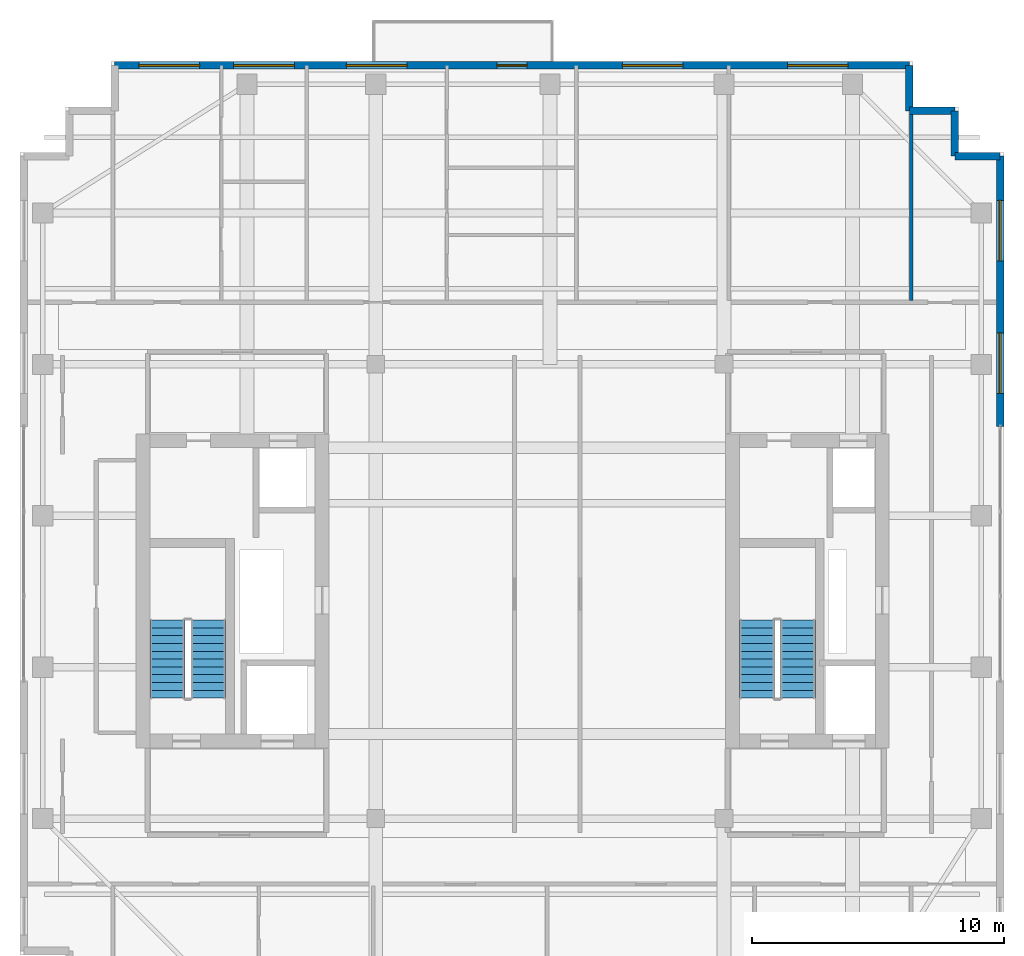
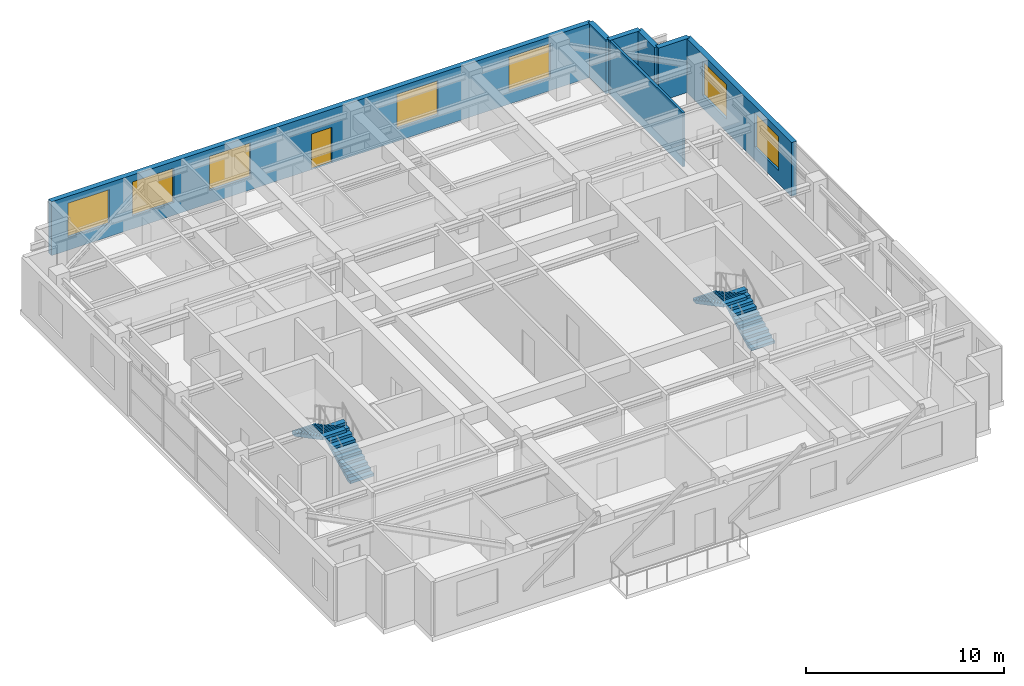
# One storey, part 11 of 14: 7 walls, 7 windows, 4 stair flights, 1 door, 8 openings, 2 elements without a shape of their own.
"""IFC4 building model written with IfcOpenShell, lengths in metres."""

from ifc_helpers import new_model, si_unit, direction, frame, frame_2d, origin, place, context, subcontext, project, spatial, polyline, rectangle, outline, extrude, source, transform, mapped, material, layer, layer_set, type_object, element, fill, aggregate, save


model = new_model("IFC4")

# Units and contexts
model_context = context("Model", 3, precision=1e-05, world=origin(), true_north=direction((0.0, 1.0)))
body_context = subcontext(model_context, "Body", "Model", "MODEL_VIEW")
ifc_project = project(units=[si_unit("LENGTHUNIT", "METRE"), si_unit("AREAUNIT", "SQUARE_METRE"), si_unit("VOLUMEUNIT", "CUBIC_METRE"), si_unit("PLANEANGLEUNIT", "RADIAN"), si_unit("MASSUNIT", "GRAM", prefix="KILO")], contexts=[model_context])

# Site, building, storey
site_placement = place(None, origin())
site = spatial("IfcSite", under=ifc_project, at=site_placement, CompositionType="ELEMENT")
building_placement = place(site_placement, origin())
building = spatial("IfcBuilding", under=site, at=building_placement, Name="Khoralis Quay Care Tower", CompositionType="ELEMENT")
storey_placement = place(building_placement, frame((0.0, 0.0, 274.5)))
storey = spatial("IfcBuildingStorey", under=building, at=storey_placement, Name="L72", CompositionType="ELEMENT", Elevation=274.5)

# Wall, openings, windows
ifc_material_1 = material(Name="Precast concrete C45/55", Category="concrete")
ifc_layer_1 = layer(ifc_material_1, 0.300048828125)
ifc_layer_set_1 = layer_set([ifc_layer_1], Name="Precast concrete C45/55")
wall_type_1 = type_object("IfcWallType", Name="WL-EXT-REF-300", PredefinedType="SOLIDWALL", material=ifc_layer_set_1)
wall_1_placement = place(storey_placement, frame((41.85009765625, 27.5400390625, 0.0), z_axis=(0.0, 0.0, 1.0), x_axis=(0.0, 1.0, 0.0)))
wall_1 = element("IfcWall", 1, at=wall_1_placement, inside=storey, type_object=wall_type_1, Name="L72 External Facade Wall WL-EXT-L72-P1-E5B", PredefinedType="SOLIDWALL", context=body_context, shape_type="SweptSolid", body=[
    extrude(rectangle(XDim=10.7099609375, YDim=0.300048828125, at=frame_2d((5.35498046875, 0.0))), origin(), (0.0, 0.0, 1.0), 3.320068359375),
])
opening_1_placement = place(wall_1_placement, frame((1.31005859375, 0.0, 0.800048828125)))
opening_1 = element("IfcOpeningElement", 2, at=opening_1_placement, cuts=wall_1, Name="Opening W1", PredefinedType="OPENING", context=body_context, shape_type="SweptSolid", body=[
    extrude(rectangle(XDim=2.39990234375, YDim=2.10009765625, at=frame_2d((1.199951171875, 1.050048828125))), frame((0.0, 0.16015625, 0.0), z_axis=(0.0, -1.0, 0.0), x_axis=(1.0, 0.0, 0.0)), (0.0, 0.0, 1.0), 0.320068359375),
])
opening_2_placement = place(wall_1_placement, frame((6.56494140625, 0.0, 0.800048828125)))
opening_2 = element("IfcOpeningElement", 3, at=opening_2_placement, cuts=wall_1, Name="Opening W1", PredefinedType="OPENING", context=body_context, shape_type="SweptSolid", body=[
    extrude(rectangle(XDim=2.39990234375, YDim=2.10009765625, at=frame_2d((1.199951171875, 1.050048828125))), frame((0.0, 0.16015625, 0.0), z_axis=(0.0, -1.0, 0.0), x_axis=(1.0, 0.0, 0.0)), (0.0, 0.0, 1.0), 0.320068359375),
])
ifc_material_2 = material(Name="Low-E solar-control double glazing", Category="glass")
window_type = type_object("IfcWindowType", Name="WN-POD-2400X2100", PartitioningType="SINGLE_PANEL", PredefinedType="WINDOW", material=ifc_material_2)
shared_shape_1 = source(origin(), body_context, "Body", "SweptSolid", [
    extrude(rectangle(XDim=2.39990234375, YDim=2.10009765625, at=frame_2d((1.199951171875, 1.050048828125))), frame((0.0, 0.030029296875, 0.0), z_axis=(0.0, -1.0, 0.0), x_axis=(1.0, 0.0, 0.0)), (0.0, 0.0, 1.0), 0.06005859375),
])
window_1_placement = place(opening_1_placement, origin())
window_1 = element("IfcWindow", 4, at=window_1_placement, inside=storey, type_object=window_type, Name="WN-L72-P1-E5B Facade Window 01", OverallHeight=2.10009765625, OverallWidth=2.39990234375, PartitioningType="SINGLE_PANEL", PredefinedType="WINDOW", context=body_context, shape_type="MappedRepresentation", body=[
    mapped(shared_shape_1, transform((0.0, 0.0, 0.0), scale=1.0)),
])
fill(opening_1, window_1)
window_2_placement = place(opening_2_placement, origin())
window_2 = element("IfcWindow", 5, at=window_2_placement, inside=storey, type_object=window_type, Name="WN-L72-P1-E5B Facade Window 02", OverallHeight=2.10009765625, OverallWidth=2.39990234375, PartitioningType="SINGLE_PANEL", PredefinedType="WINDOW", context=body_context, shape_type="MappedRepresentation", body=[
    mapped(shared_shape_1, transform((0.0, 0.0, 0.0), scale=1.0)),
])
fill(opening_2, window_2)

# Walls
for number, where, z_axis, x_axis, name in (
    (6, (41.85009765625, 38.25, 0.0), (0.0, 0.0, 1.0), (-1.0, 0.0, 0.0), "L72 External Facade Wall WL-EXT-L72-P1-C6"),
    (7, (40.050048828125, 38.25, 0.0), (0.0, 0.0, 1.0), (0.0, 1.0, 0.0), "L72 External Facade Wall WL-EXT-L72-P1-C7"),
    (8, (40.050048828125, 40.050048828125, 0.0), (0.0, 0.0, 1.0), (-1.0, 0.0, 0.0), "L72 External Facade Wall WL-EXT-L72-P1-C8"),
    (9, (38.25, 40.050048828125, 0.0), (0.0, 0.0, 1.0), (0.0, 1.0, 0.0), "L72 External Facade Wall WL-EXT-L72-P1-C9"),
):
    element("IfcWall", number, at=place(storey_placement, frame(where, z_axis=z_axis, x_axis=x_axis)), inside=storey, type_object=wall_type_1, Name=name, PredefinedType="SOLIDWALL", context=body_context, shape_type="SweptSolid", body=[
        extrude(rectangle(XDim=1.800048828125, YDim=0.300048828125, at=frame_2d((0.89990234375, 0.0))), origin(), (0.0, 0.0, 1.0), 3.320068359375),
    ])

# Wall, openings, windows, door
wall_2_placement = place(storey_placement, frame((38.25, 41.85009765625, 0.0), z_axis=(0.0, 0.0, 1.0), x_axis=(-1.0, 0.0, 0.0)))
wall_2 = element("IfcWall", 10, at=wall_2_placement, inside=storey, type_object=wall_type_1, Name="L72 External Facade Wall WL-EXT-L72-P1-E10", PredefinedType="SOLIDWALL", context=body_context, shape_type="SweptSolid", body=[
    extrude(rectangle(XDim=31.5, YDim=0.300048828125, at=frame_2d((15.75, 0.0))), origin(), (0.0, 0.0, 1.0), 3.320068359375),
])
opening_3_placement = place(wall_2_placement, frame((2.429931640625, 0.0, 0.800048828125)))
opening_3 = element("IfcOpeningElement", 11, at=opening_3_placement, cuts=wall_2, Name="Opening W1", PredefinedType="OPENING", context=body_context, shape_type="SweptSolid", body=[
    extrude(rectangle(XDim=2.39990234375, YDim=2.10009765625, at=frame_2d((1.199951171875, 1.050048828125))), frame((0.0, 0.16015625, 0.0), z_axis=(0.0, -1.0, 0.0), x_axis=(1.0, 0.0, 0.0)), (0.0, 0.0, 1.0), 0.320068359375),
])
opening_4_placement = place(wall_2_placement, frame((8.97998046875, 0.0, 0.800048828125)))
opening_4 = element("IfcOpeningElement", 12, at=opening_4_placement, cuts=wall_2, Name="Opening W1", PredefinedType="OPENING", context=body_context, shape_type="SweptSolid", body=[
    extrude(rectangle(XDim=2.39990234375, YDim=2.10009765625, at=frame_2d((1.199951171875, 1.050048828125))), frame((0.0, 0.16015625, 0.0), z_axis=(0.0, -1.0, 0.0), x_axis=(1.0, 0.0, 0.0)), (0.0, 0.0, 1.0), 0.320068359375),
])
opening_5_placement = place(wall_2_placement, frame((19.910400390625, 0.0, 0.800048828125)))
opening_5 = element("IfcOpeningElement", 13, at=opening_5_placement, cuts=wall_2, Name="Opening W1", PredefinedType="OPENING", context=body_context, shape_type="SweptSolid", body=[
    extrude(rectangle(XDim=2.39990234375, YDim=2.10009765625, at=frame_2d((1.199951171875, 1.050048828125))), frame((0.0, 0.16015625, 0.0), z_axis=(0.0, -1.0, 0.0), x_axis=(1.0, 0.0, 0.0)), (0.0, 0.0, 1.0), 0.320068359375),
])
opening_6_placement = place(wall_2_placement, frame((24.37939453125, 0.0, 0.800048828125)))
opening_6 = element("IfcOpeningElement", 14, at=opening_6_placement, cuts=wall_2, Name="Opening W1", PredefinedType="OPENING", context=body_context, shape_type="SweptSolid", body=[
    extrude(rectangle(XDim=2.39990234375, YDim=2.10009765625, at=frame_2d((1.199951171875, 1.050048828125))), frame((0.0, 0.16015625, 0.0), z_axis=(0.0, -1.0, 0.0), x_axis=(1.0, 0.0, 0.0)), (0.0, 0.0, 1.0), 0.320068359375),
])
opening_7_placement = place(wall_2_placement, frame((28.134521484375, 0.0, 0.800048828125)))
opening_7 = element("IfcOpeningElement", 15, at=opening_7_placement, cuts=wall_2, Name="Opening W1", PredefinedType="OPENING", context=body_context, shape_type="SweptSolid", body=[
    extrude(rectangle(XDim=2.39990234375, YDim=2.10009765625, at=frame_2d((1.199951171875, 1.050048828125))), frame((0.0, 0.16015625, 0.0), z_axis=(0.0, -1.0, 0.0), x_axis=(1.0, 0.0, 0.0)), (0.0, 0.0, 1.0), 0.320068359375),
])
opening_8_placement = place(wall_2_placement, frame((15.14990234375, 0.0, 0.0)))
opening_8 = element("IfcOpeningElement", 16, at=opening_8_placement, cuts=wall_2, Name="Opening BD1", PredefinedType="OPENING", context=body_context, shape_type="SweptSolid", body=[
    extrude(rectangle(XDim=1.199951171875, YDim=2.199951171875, at=frame_2d((0.60009765625, 1.10009765625))), frame((0.0, 0.16015625, 0.0), z_axis=(0.0, -1.0, 0.0), x_axis=(1.0, 0.0, 0.0)), (0.0, 0.0, 1.0), 0.320068359375),
])
window_3_placement = place(opening_3_placement, origin())
window_3 = element("IfcWindow", 17, at=window_3_placement, inside=storey, type_object=window_type, Name="WN-L72-P1-E10 Facade Window 01", OverallHeight=2.10009765625, OverallWidth=2.39990234375, PartitioningType="SINGLE_PANEL", PredefinedType="WINDOW", context=body_context, shape_type="MappedRepresentation", body=[
    mapped(shared_shape_1, transform((0.0, 0.0, 0.0), scale=1.0)),
])
fill(opening_3, window_3)
window_4_placement = place(opening_4_placement, origin())
window_4 = element("IfcWindow", 18, at=window_4_placement, inside=storey, type_object=window_type, Name="WN-L72-P1-E10 Facade Window 02", OverallHeight=2.10009765625, OverallWidth=2.39990234375, PartitioningType="SINGLE_PANEL", PredefinedType="WINDOW", context=body_context, shape_type="MappedRepresentation", body=[
    mapped(shared_shape_1, transform((0.0, 0.0, 0.0), scale=1.0)),
])
fill(opening_4, window_4)
window_5_placement = place(opening_5_placement, origin())
window_5 = element("IfcWindow", 19, at=window_5_placement, inside=storey, type_object=window_type, Name="WN-L72-P1-E10 Facade Window 03", OverallHeight=2.10009765625, OverallWidth=2.39990234375, PartitioningType="SINGLE_PANEL", PredefinedType="WINDOW", context=body_context, shape_type="MappedRepresentation", body=[
    mapped(shared_shape_1, transform((0.0, 0.0, 0.0), scale=1.0)),
])
fill(opening_5, window_5)
window_6_placement = place(opening_6_placement, origin())
window_6 = element("IfcWindow", 20, at=window_6_placement, inside=storey, type_object=window_type, Name="WN-L72-P1-E10 Facade Window 04", OverallHeight=2.10009765625, OverallWidth=2.39990234375, PartitioningType="SINGLE_PANEL", PredefinedType="WINDOW", context=body_context, shape_type="MappedRepresentation", body=[
    mapped(shared_shape_1, transform((0.0, 0.0, 0.0), scale=1.0)),
])
fill(opening_6, window_6)
window_7_placement = place(opening_7_placement, origin())
window_7 = element("IfcWindow", 21, at=window_7_placement, inside=storey, type_object=window_type, Name="WN-L72-P1-E10 Facade Window 05", OverallHeight=2.10009765625, OverallWidth=2.39990234375, PartitioningType="SINGLE_PANEL", PredefinedType="WINDOW", context=body_context, shape_type="MappedRepresentation", body=[
    mapped(shared_shape_1, transform((0.0, 0.0, 0.0), scale=1.0)),
])
fill(opening_7, window_7)
ifc_material_3 = material(Name="Anodised aluminium and laminated safety glass", Category="aluminium")
door_type = type_object("IfcDoorType", Name="DR-EXT-BALC-1200X2200", OperationType="NOTDEFINED", PredefinedType="DOOR", material=ifc_material_3)
shared_shape_2 = source(origin(), body_context, "Body", "SweptSolid", [
    extrude(rectangle(XDim=1.199951171875, YDim=2.199951171875, at=frame_2d((0.60009765625, 1.10009765625))), frame((0.0, 0.02490234375, 0.0), z_axis=(0.0, -1.0, 0.0), x_axis=(1.0, 0.0, 0.0)), (0.0, 0.0, 1.0), 0.050048828125),
])
door_placement = place(opening_8_placement, frame((1.199951171875, 0.0, 0.0), z_axis=(0.0, 0.0, 1.0), x_axis=(-1.0, 0.0, 0.0)))
door = element("IfcDoor", 22, at=door_placement, inside=storey, type_object=door_type, Name="L72 Senior Loggia Balcony Door", OperationType="SINGLE_SWING_LEFT", OverallHeight=2.199951171875, OverallWidth=1.199951171875, PredefinedType="DOOR", context=body_context, shape_type="MappedRepresentation", body=[
    mapped(shared_shape_2, transform((0.0, 0.0, 0.0), scale=1.0)),
])
fill(opening_8, door)

# Wall
ifc_material_4 = material(Name="Gypsum plasterboard on acoustic metal stud")
ifc_layer_2 = layer(ifc_material_4, 0.139892578125)
ifc_layer_set_2 = layer_set([ifc_layer_2], Name="Gypsum plasterboard on acoustic metal stud")
wall_type_2 = type_object("IfcWallType", Name="WL-UNIT-140", PredefinedType="PARTITIONING", material=ifc_layer_set_2)
wall_3_placement = place(storey_placement, frame((38.320068359375, 32.53759765625, 0.0), z_axis=(0.0, 0.0, 1.0), x_axis=(0.0, 1.0, 0.0)))
element("IfcWall", 23, at=wall_3_placement, inside=storey, type_object=wall_type_2, Name="L72 NB Demising Wall 4", PredefinedType="PARTITIONING", context=body_context, shape_type="SweptSolid", body=[
    extrude(rectangle(XDim=7.517333984375, YDim=0.139892578125, at=frame_2d((3.7587890625, 0.0))), origin(), (0.0, 0.0, 1.0), 3.320068359375),
])

# Stair, stair flights
stair_type = type_object("IfcStairType", Name="ST-TWR-DOGLEG-1400", PredefinedType="HALF_TURN_STAIR", material=ifc_material_1)
stair_1_placement = place(storey_placement, origin())
stair_1 = element("IfcStair", 24, at=stair_1_placement, inside=storey, type_object=stair_type, Name="L72 West Core Exit Stair ST-T1", PredefinedType="HALF_TURN_STAIR")
stair_flight_type = type_object("IfcStairFlightType", Name="SF-TWR-1400", PredefinedType="STRAIGHT", material=ifc_material_1)
shared_shape_3 = source(origin(), body_context, "Body", "SweptSolid", [
    extrude(outline(polyline([(0.0, 0.0), (0.0, 0.16357421875), (0.31005859375, 0.16357421875), (0.31005859375, 0.327392578125), (0.6201171875, 0.327392578125), (0.6201171875, 0.490966796875), (0.929931640625, 0.490966796875), (0.929931640625, 0.654541015625), (1.239990234375, 0.654541015625), (1.239990234375, 0.818115234375), (1.550048828125, 0.818115234375), (1.550048828125, 0.98193359375), (1.860107421875, 0.98193359375), (1.860107421875, 1.1455078125), (2.169921875, 1.1455078125), (2.169921875, 1.30908203125), (2.47998046875, 1.30908203125), (2.47998046875, 1.47265625), (2.7900390625, 1.47265625), (2.7900390625, 1.636474609375), (3.10009765625, 1.636474609375), (3.10009765625, 1.800048828125), (3.10009765625, 1.466796875), (0.321044921875, 0.0), (0.0, 0.0)])), frame((0.0, 0.68994140625, 0.0), z_axis=(0.0, -1.0, 0.0), x_axis=(1.0, 0.0, 0.0)), (0.0, 0.0, 1.0), 1.3798828125),
])
stair_flight_1_placement = place(storey_placement, frame((10.4599609375, 16.77001953125, 0.0), z_axis=(0.0, 0.0, 1.0), x_axis=(0.0, 1.0, 0.0)))
stair_flight_1 = element("IfcStairFlight", 25, at=stair_flight_1_placement, type_object=stair_flight_type, Name="ST-T1 flight 1", NumberOfRisers=11, NumberOfTreads=10, PredefinedType="STRAIGHT", RiserHeight=0.163636364, TreadLength=0.31, context=body_context, shape_type="MappedRepresentation", body=[
    mapped(shared_shape_3, transform((0.0, 0.0, 0.0), scale=1.0)),
])
stair_flight_2_placement = place(storey_placement, frame((8.840087890625, 19.8701171875, 1.800048828125), z_axis=(0.0, 0.0, 1.0), x_axis=(0.0, -1.0, 0.0)))
stair_flight_2 = element("IfcStairFlight", 26, at=stair_flight_2_placement, type_object=stair_flight_type, Name="ST-T1 flight 2", NumberOfRisers=11, NumberOfTreads=10, PredefinedType="STRAIGHT", RiserHeight=0.163636364, TreadLength=0.31, context=body_context, shape_type="MappedRepresentation", body=[
    mapped(shared_shape_3, transform((0.0, 0.0, 0.0), scale=1.0)),
])
aggregate(stair_1, [stair_flight_1, stair_flight_2])

stair_2_placement = place(storey_placement, origin())
stair_2 = element("IfcStair", 27, at=stair_2_placement, inside=storey, type_object=stair_type, Name="L72 East Core Exit Stair ST-T2", PredefinedType="HALF_TURN_STAIR")
stair_flight_3_placement = place(storey_placement, frame((33.830078125, 16.77001953125, 0.0), z_axis=(0.0, 0.0, 1.0), x_axis=(0.0, 1.0, 0.0)))
stair_flight_3 = element("IfcStairFlight", 28, at=stair_flight_3_placement, type_object=stair_flight_type, Name="ST-T2 flight 1", NumberOfRisers=11, NumberOfTreads=10, PredefinedType="STRAIGHT", RiserHeight=0.163636364, TreadLength=0.31, context=body_context, shape_type="MappedRepresentation", body=[
    mapped(shared_shape_3, transform((0.0, 0.0, 0.0), scale=1.0)),
])
stair_flight_4_placement = place(storey_placement, frame((32.2099609375, 19.8701171875, 1.800048828125), z_axis=(0.0, 0.0, 1.0), x_axis=(0.0, -1.0, 0.0)))
stair_flight_4 = element("IfcStairFlight", 29, at=stair_flight_4_placement, type_object=stair_flight_type, Name="ST-T2 flight 2", NumberOfRisers=11, NumberOfTreads=10, PredefinedType="STRAIGHT", RiserHeight=0.163636364, TreadLength=0.31, context=body_context, shape_type="MappedRepresentation", body=[
    mapped(shared_shape_3, transform((0.0, 0.0, 0.0), scale=1.0)),
])
aggregate(stair_2, [stair_flight_3, stair_flight_4])

save(model, "model.ifc")
